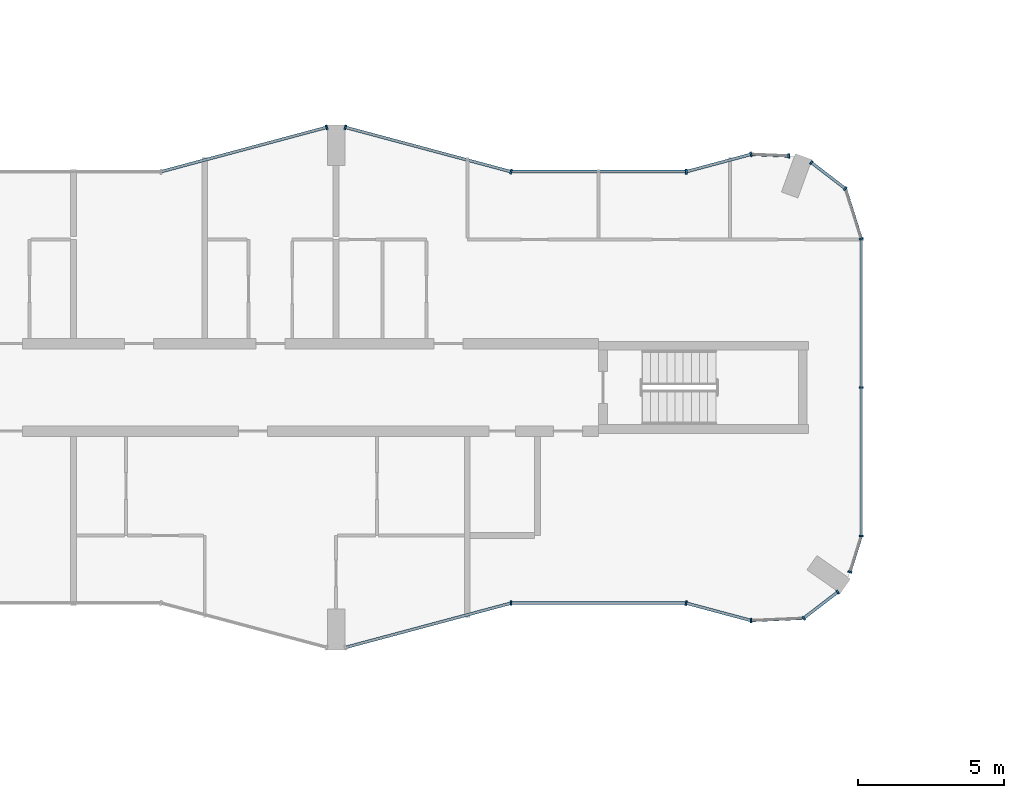
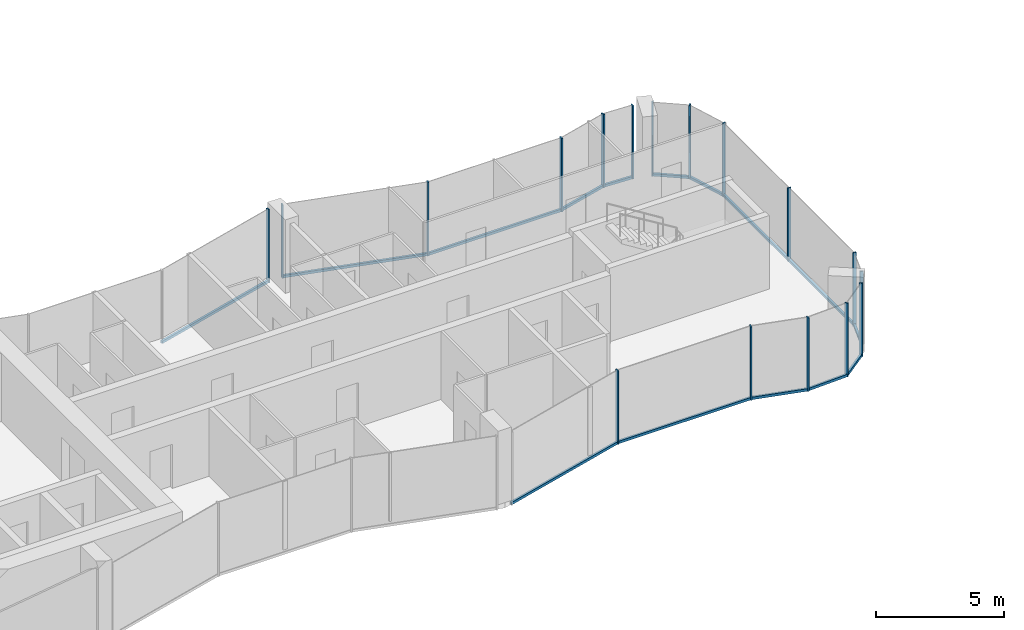
# One storey, part 5 of 24: 31 members, 14 elements without a shape of their own.
"""IFC4 building model written with IfcOpenShell, lengths in metres."""

import ifcopenshell
import ifcopenshell.guid

model = None  # the IFC model being written
_history = None  # IfcOwnerHistory: only IFC2X3 demands one
_inside = {}  # id of a spatial element -> (the spatial element, [elements in it])
_under = {}  # id of a project, library or spatial element -> (it, [spatial elements below it])
_declared = {}  # id of a project -> (the project, [libraries it declares])
_typed = {}  # id of a type object -> (the type object, [elements of that type])
_made_of = {}  # id of a material, layer set ... -> (it, [elements and type objects made of it])


def new_model(schema):
    """Start an empty IFC model of exactly this schema.

    Asked for "IFC4X3", IfcOpenShell would pick the latest addendum, in which some entities
    have other attributes; the version numbers below select the first issue.
    IFC2X3 requires an IfcOwnerHistory on every rooted entity: one is made here for all.
    """
    global model, _history
    if schema == "IFC4X3":
        model = ifcopenshell.file(schema_version=(4, 3, 0, 0))
    else:
        model = ifcopenshell.file(schema=schema)
    _inside.clear()
    _under.clear()
    _declared.clear()
    _typed.clear()
    _made_of.clear()
    _history = None
    if model.schema == "IFC2X3":
        org = make("IfcOrganization", Name="unknown")
        user = make(
            "IfcPersonAndOrganization",
            ThePerson=make("IfcPerson", FamilyName="unknown"),
            TheOrganization=org,
        )
        app = make(
            "IfcApplication",
            ApplicationDeveloper=org,
            Version="unknown",
            ApplicationFullName="unknown",
            ApplicationIdentifier="unknown",
        )
        _history = make(
            "IfcOwnerHistory",
            OwningUser=user,
            OwningApplication=app,
            ChangeAction="ADDED",
            CreationDate=0,
        )
    return model


def make(cls, **values):
    """One entity of the class cls with the attributes given. An attribute that is None is left unset."""
    return model.create_entity(
        cls, **{name: value for name, value in values.items() if value is not None}
    )


def rooted(cls, **values):
    """An entity with a GlobalId (a new one), such as an element, a storey or a relation."""
    return make(cls, GlobalId=ifcopenshell.guid.new(), OwnerHistory=_history, **values)


def si_unit(unit_type, name, prefix=None):
    """IfcSIUnit, for example si_unit("LENGTHUNIT", "METRE", prefix="MILLI")."""
    return make("IfcSIUnit", UnitType=unit_type, Prefix=prefix, Name=name)


def assignment(units):
    """IfcUnitAssignment: the units of a project."""
    return None if units is None else make("IfcUnitAssignment", Units=units)


def point(xyz):
    """IfcCartesianPoint."""
    return None if xyz is None else make("IfcCartesianPoint", Coordinates=xyz)


def direction(xyz):
    """IfcDirection."""
    return None if xyz is None else make("IfcDirection", DirectionRatios=xyz)


def frame(location, z_axis=None, x_axis=None):
    """IfcAxis2Placement3D, a coordinate frame: its origin and axes. An axis left out is left unset."""
    return make(
        "IfcAxis2Placement3D",
        Location=point(location),
        Axis=direction(z_axis),
        RefDirection=direction(x_axis),
    )


def frame_2d(location, x_axis=None):
    """IfcAxis2Placement2D, a coordinate frame in the plane: its origin and x axis."""
    return make(
        "IfcAxis2Placement2D", Location=point(location), RefDirection=direction(x_axis)
    )


def origin():
    """The frame at (0, 0, 0) with its axes left unset."""
    return frame((0.0, 0.0, 0.0))


def origin_2d():
    """The frame at (0, 0) in the plane with its x axis left unset."""
    return frame_2d((0.0, 0.0))


def place(relative_to, where):
    """IfcLocalPlacement: puts the frame where relative to a parent placement (None: the world)."""
    return make(
        "IfcLocalPlacement", PlacementRelTo=relative_to, RelativePlacement=where
    )


def context(
    kind, dimensions, precision=None, world=None, true_north=None, identifier=None
):
    """IfcGeometricRepresentationContext, for example the 3D "Model" context."""
    return make(
        "IfcGeometricRepresentationContext",
        ContextIdentifier=identifier,
        ContextType=kind,
        CoordinateSpaceDimension=dimensions,
        Precision=precision,
        WorldCoordinateSystem=world,
        TrueNorth=true_north,
    )


def subcontext(parent, identifier, kind, view, scale=None):
    """IfcGeometricRepresentationSubContext, for example "Body" below "Model"."""
    return make(
        "IfcGeometricRepresentationSubContext",
        ContextIdentifier=identifier,
        ContextType=kind,
        ParentContext=parent,
        TargetScale=scale,
        TargetView=view,
    )


def project(units=None, contexts=None):
    """IfcProject with its units and contexts."""
    return rooted(
        "IfcProject",
        Name="project",
        RepresentationContexts=contexts,
        UnitsInContext=assignment(units),
    )


def spatial(cls, under=None, at=None, **own):
    """A site, building, storey or space (cls), placed at a placement, below another one or the project."""
    s = rooted(cls, ObjectPlacement=at, **own)
    if under is not None:
        _under.setdefault(under.id(), (under, []))[1].append(s)
    return s


def profile(cls, at=None, kind="AREA", **sizes):
    """A parametric profile (cls). Its sizes go by their IFC names, for example OverallWidth=200.0."""
    return make(cls, ProfileType=kind, Position=at, **sizes)


def rectangle(**sizes):
    """IfcRectangleProfileDef."""
    return profile("IfcRectangleProfileDef", **sizes)


def extrude(swept, where, along, depth):
    """IfcExtrudedAreaSolid: the profile swept, set in the frame where, extruded along a direction by depth."""
    return make(
        "IfcExtrudedAreaSolid",
        SweptArea=swept,
        Position=where,
        ExtrudedDirection=direction(along),
        Depth=depth,
    )


def shape(context_of_items, identifier, shape_type, items):
    """IfcShapeRepresentation: the items that make up one representation, for example the "Body"."""
    return make(
        "IfcShapeRepresentation",
        ContextOfItems=context_of_items,
        RepresentationIdentifier=identifier,
        RepresentationType=shape_type,
        Items=items,
    )


def material(Name=None, Category=None):
    """IfcMaterial."""
    return make("IfcMaterial", Name=Name, Category=Category)


def layer(
    of_material, thickness, ventilated=None, Name=None, Category=None, Priority=None
):
    """IfcMaterialLayer: one layer of a wall or slab, of a material (None: an air gap)."""
    return make(
        "IfcMaterialLayer",
        Material=of_material,
        LayerThickness=thickness,
        IsVentilated=ventilated,
        Name=Name,
        Category=Category,
        Priority=Priority,
    )


def layer_set(layers, Name=None):
    """IfcMaterialLayerSet."""
    return make("IfcMaterialLayerSet", MaterialLayers=layers, LayerSetName=Name)


def material_profile(
    of_material, cross_section, Name=None, Category=None, Priority=None
):
    """IfcMaterialProfile: a cross section and its material."""
    return make(
        "IfcMaterialProfile",
        Name=Name,
        Material=of_material,
        Profile=cross_section,
        Priority=Priority,
        Category=Category,
    )


def profile_set(profiles, Name=None, composite=None):
    """IfcMaterialProfileSet."""
    return make(
        "IfcMaterialProfileSet",
        Name=Name,
        MaterialProfiles=profiles,
        CompositeProfile=composite,
    )


def made_of(thing, what):
    """Note that an element or type object is made of a material, layer set ...; save() writes the relation."""
    if what is not None:
        _made_of.setdefault(what.id(), (what, []))[1].append(thing)
    return thing


def type_object(cls, material=None, **own):
    """A type object (cls), such as IfcWallType, which elements share."""
    return made_of(rooted(cls, **own), material)


def element(
    cls,
    number,
    at=None,
    inside=None,
    cuts=None,
    type_object=None,
    material=None,
    context=None,
    identifier="Body",
    shape_type=None,
    held_by="IfcProductDefinitionShape",
    body=None,
    shapes=None,
    **own,
):
    """One element of the class cls, such as IfcWall. Its Tag is "e" and its number.

    at: its placement. inside: the storey or other place that contains it. cuts: it is an
    opening in that element (IfcRelVoidsElement). A single representation is given by context,
    identifier, shape_type and body (its items); several are given by shapes. held_by: the class
    of the entity that holds the representations. save() writes the other relations.
    """
    e = rooted(cls, Tag="e%d" % number, ObjectPlacement=at, **own)
    if body is not None:
        shapes = [shape(context, identifier, shape_type, body)]
    if shapes is not None:
        e.Representation = make(held_by, Representations=shapes)
    if inside is not None:
        _inside.setdefault(inside.id(), (inside, []))[1].append(e)
    if cuts is not None:
        rooted(
            "IfcRelVoidsElement", RelatingBuildingElement=cuts, RelatedOpeningElement=e
        )
    if type_object is not None:
        _typed.setdefault(type_object.id(), (type_object, []))[1].append(e)
    return made_of(e, material)


def aggregate(whole, parts):
    """IfcRelAggregates: a whole, such as a stair, and the parts it consists of."""
    return rooted("IfcRelAggregates", RelatingObject=whole, RelatedObjects=parts)


def save(model, path):
    """Write the relations noted so far, then the file.

    IfcRelAggregates (storeys below a building ...), IfcRelContainedInSpatialStructure (elements
    in a storey), IfcRelDefinesByType, IfcRelAssociatesMaterial and IfcRelDeclares: one each for
    every whole, place, type object, material and project.
    """
    for whole, parts in _under.values():
        aggregate(whole, parts)
    for where, things in _inside.values():
        rooted(
            "IfcRelContainedInSpatialStructure",
            RelatedElements=things,
            RelatingStructure=where,
        )
    for kind, things in _typed.values():
        rooted("IfcRelDefinesByType", RelatedObjects=things, RelatingType=kind)
    for what, things in _made_of.values():
        rooted("IfcRelAssociatesMaterial", RelatedObjects=things, RelatingMaterial=what)
    for by, libraries in _declared.values():
        rooted("IfcRelDeclares", RelatingContext=by, RelatedDefinitions=libraries)
    model.write(path)


model = new_model("IFC4")

# Units and contexts
model_context = context("Model", 3, precision=1e-05, world=origin(), true_north=direction((0.0, 1.0)))
body_context = subcontext(model_context, "Body", "Model", "MODEL_VIEW")
ifc_project = project(units=[si_unit("LENGTHUNIT", "METRE"), si_unit("AREAUNIT", "SQUARE_METRE"), si_unit("VOLUMEUNIT", "CUBIC_METRE"), si_unit("PLANEANGLEUNIT", "RADIAN"), si_unit("MASSUNIT", "GRAM", prefix="KILO")], contexts=[model_context])

# Site, building, storey
site_placement = place(None, origin())
site = spatial("IfcSite", under=ifc_project, at=site_placement, CompositionType="ELEMENT")
building_placement = place(site_placement, origin())
building = spatial("IfcBuilding", under=site, at=building_placement, Name="Plateau Cross Towers", CompositionType="ELEMENT")
storey_placement = place(building_placement, frame((0.0, 0.0, 47.800048828125)))
storey = spatial("IfcBuildingStorey", under=building, at=storey_placement, Name="L11", CompositionType="ELEMENT", Elevation=47.800048828125)

# Curtain wall, member
ifc_material_1 = material(Name="Dark low-iron glass", Category="glass")
ifc_layer_1 = layer(ifc_material_1, 0.239990234375)
ifc_layer_set_1 = layer_set([ifc_layer_1], Name="Dark low-iron glass")
curtain_wall_type_1 = type_object("IfcCurtainWallType", Name="Curtain wall flush unitised CW-B", PredefinedType="NOTDEFINED", material=ifc_layer_set_1)
curtain_wall_1_placement = place(storey_placement, origin())
curtain_wall_1 = element("IfcCurtainWall", 1, at=curtain_wall_1_placement, inside=storey, type_object=curtain_wall_type_1, Name="ENV/A/L11/A502_10", PredefinedType="NOTDEFINED")
ifc_material_2 = material(Name="Black anodised aluminium", Category="aluminium")
ifc_material_profile_1 = material_profile(ifc_material_2, rectangle(XDim=0.06005859375, YDim=0.139892578125, at=origin_2d()), Name="MULLION 60x140")
ifc_profile_set_1 = profile_set([ifc_material_profile_1], Name="Black anodised aluminium")
member_type_1 = type_object("IfcMemberType", Name="Mullion 60x140 flush unitised", PredefinedType="MULLION", material=ifc_profile_set_1)
member_1_placement = place(storey_placement, frame((50.223876953125, 1.01123046875, -0.25), z_axis=(0.0, 0.0, 1.0), x_axis=(0.999043701491, 0.043722791671, 0.0)))
member_1 = element("IfcMember", 2, at=member_1_placement, type_object=member_type_1, Name="CW-B mullion 1", PredefinedType="MULLION", context=body_context, shape_type="SweptSolid", body=[
    extrude(rectangle(XDim=0.06005859375, YDim=0.139892578125, at=origin_2d()), origin(), (0.0, 0.0, 1.0), 3.5),
])

# Curtain wall, members
curtain_wall_2_placement = place(storey_placement, origin())
curtain_wall_2 = element("IfcCurtainWall", 3, at=curtain_wall_2_placement, inside=storey, type_object=curtain_wall_type_1, Name="ENV/A/L11/A520_11", PredefinedType="NOTDEFINED")
member_2_placement = place(storey_placement, frame((52.0263671875, 1.090087890625, -0.25), z_axis=(0.0, 0.0, 1.0), x_axis=(0.793315514529, 0.608810721331, 0.0)))
member_2 = element("IfcMember", 4, at=member_2_placement, type_object=member_type_1, Name="CW-B mullion 1", PredefinedType="MULLION", context=body_context, shape_type="SweptSolid", body=[
    extrude(rectangle(XDim=0.06005859375, YDim=0.139892578125, at=origin_2d()), origin(), (0.0, 0.0, 1.0), 3.5),
])
member_3_placement = place(storey_placement, frame((53.193603515625, 1.986083984375, -0.25), z_axis=(0.0, 0.0, 1.0), x_axis=(0.793315514529, 0.608810721331, 0.0)))
member_3 = element("IfcMember", 5, at=member_3_placement, type_object=member_type_1, Name="CW-B mullion 2", PredefinedType="MULLION", context=body_context, shape_type="SweptSolid", body=[
    extrude(rectangle(XDim=0.06005859375, YDim=0.139892578125, at=origin_2d()), origin(), (0.0, 0.0, 1.0), 3.5),
])

# Curtain wall, member
curtain_wall_3_placement = place(storey_placement, origin())
curtain_wall_3 = element("IfcCurtainWall", 6, at=curtain_wall_3_placement, inside=storey, type_object=curtain_wall_type_1, Name="ENV/A/L11/A536_27", PredefinedType="NOTDEFINED")
member_4_placement = place(storey_placement, frame((53.611083984375, 2.67529296875, -0.25), z_axis=(0.0, 0.0, 1.0), x_axis=(0.300686174994, 0.95372313811, 0.0)))
member_4 = element("IfcMember", 7, at=member_4_placement, type_object=member_type_1, Name="CW-B mullion 1", PredefinedType="MULLION", context=body_context, shape_type="SweptSolid", body=[
    extrude(rectangle(XDim=0.06005859375, YDim=0.139892578125, at=origin_2d()), origin(), (0.0, 0.0, 1.0), 3.5),
])

# Curtain wall, members
curtain_wall_4_placement = place(storey_placement, origin())
curtain_wall_4 = element("IfcCurtainWall", 8, at=curtain_wall_4_placement, inside=storey, type_object=curtain_wall_type_1, Name="ENV/A/L11/A540_39", PredefinedType="NOTDEFINED")
member_5_placement = place(storey_placement, frame((54.0, 3.9091796875, -0.25), z_axis=(0.0, 0.0, 1.0), x_axis=(0.0, 1.0, 0.0)))
member_5 = element("IfcMember", 9, at=member_5_placement, type_object=member_type_1, Name="CW-B mullion 1", PredefinedType="MULLION", context=body_context, shape_type="SweptSolid", body=[
    extrude(rectangle(XDim=0.06005859375, YDim=0.139892578125, at=origin_2d()), origin(), (0.0, 0.0, 1.0), 3.5),
])
member_6_placement = place(storey_placement, frame((54.0, 9.0, -0.25), z_axis=(0.0, 0.0, 1.0), x_axis=(0.0, 1.0, 0.0)))
member_6 = element("IfcMember", 10, at=member_6_placement, type_object=member_type_1, Name="CW-B mullion 2", PredefinedType="MULLION", context=body_context, shape_type="SweptSolid", body=[
    extrude(rectangle(XDim=0.06005859375, YDim=0.139892578125, at=origin_2d()), origin(), (0.0, 0.0, 1.0), 3.5),
])

# Curtain wall, member
curtain_wall_5_placement = place(storey_placement, origin())
curtain_wall_5 = element("IfcCurtainWall", 11, at=curtain_wall_5_placement, inside=storey, type_object=curtain_wall_type_1, Name="ENV/A/L11/A540_141", PredefinedType="NOTDEFINED")
member_7_placement = place(storey_placement, frame((54.0, 14.0908203125, -0.25), z_axis=(0.0, 0.0, 1.0), x_axis=(-0.300686174994, 0.95372313811, 0.0)))
member_7 = element("IfcMember", 12, at=member_7_placement, type_object=member_type_1, Name="CW-B mullion 1", PredefinedType="MULLION", context=body_context, shape_type="SweptSolid", body=[
    extrude(rectangle(XDim=0.06005859375, YDim=0.139892578125, at=origin_2d()), origin(), (0.0, 0.0, 1.0), 3.5),
])

# Curtain wall, members
curtain_wall_6_placement = place(storey_placement, origin())
curtain_wall_6 = element("IfcCurtainWall", 13, at=curtain_wall_6_placement, inside=storey, type_object=curtain_wall_type_1, Name="ENV/A/L11/A535_158", PredefinedType="NOTDEFINED")
member_8_placement = place(storey_placement, frame((53.45751953125, 15.8115234375, -0.25), z_axis=(0.0, 0.0, 1.0), x_axis=(-0.793315514529, 0.608810721331, 0.0)))
member_8 = element("IfcMember", 14, at=member_8_placement, type_object=member_type_1, Name="CW-B mullion 1", PredefinedType="MULLION", context=body_context, shape_type="SweptSolid", body=[
    extrude(rectangle(XDim=0.06005859375, YDim=0.139892578125, at=origin_2d()), origin(), (0.0, 0.0, 1.0), 3.5),
])
member_9_placement = place(storey_placement, frame((52.290283203125, 16.707275390625, -0.25), z_axis=(0.0, 0.0, 1.0), x_axis=(-0.793315514529, 0.608810721331, 0.0)))
member_9 = element("IfcMember", 15, at=member_9_placement, type_object=member_type_1, Name="CW-B mullion 2", PredefinedType="MULLION", context=body_context, shape_type="SweptSolid", body=[
    extrude(rectangle(XDim=0.06005859375, YDim=0.139892578125, at=origin_2d()), origin(), (0.0, 0.0, 1.0), 3.5),
])

# Curtain wall, member
curtain_wall_7_placement = place(storey_placement, origin())
curtain_wall_7 = element("IfcCurtainWall", 16, at=curtain_wall_7_placement, inside=storey, type_object=curtain_wall_type_1, Name="ENV/A/L11/A515_169", PredefinedType="NOTDEFINED")
member_10_placement = place(storey_placement, frame((51.516357421875, 16.93212890625, -0.25), z_axis=(0.0, 0.0, 1.0), x_axis=(-0.999043701491, 0.043722791671, 0.0)))
member_10 = element("IfcMember", 17, at=member_10_placement, type_object=member_type_1, Name="CW-B mullion 1", PredefinedType="MULLION", context=body_context, shape_type="SweptSolid", body=[
    extrude(rectangle(XDim=0.06005859375, YDim=0.139892578125, at=origin_2d()), origin(), (0.0, 0.0, 1.0), 3.5),
])

ifc_layer_2 = layer(ifc_material_1, 0.260009765625)
ifc_layer_set_2 = layer_set([ifc_layer_2], Name="Dark low-iron glass")
curtain_wall_type_2 = type_object("IfcCurtainWallType", Name="Curtain wall fluted unitised CW-A", PredefinedType="NOTDEFINED", material=ifc_layer_set_2)
curtain_wall_8_placement = place(storey_placement, origin())
curtain_wall_8 = element("IfcCurtainWall", 18, at=curtain_wall_8_placement, inside=storey, type_object=curtain_wall_type_2, Name="ENV/A/L11/A420_16", PredefinedType="NOTDEFINED")
ifc_material_profile_2 = material_profile(ifc_material_2, rectangle(XDim=0.06005859375, YDim=0.159912109375, at=origin_2d()), Name="MULLION 60x160")
ifc_profile_set_2 = profile_set([ifc_material_profile_2], Name="Black anodised aluminium")
member_type_2 = type_object("IfcMemberType", Name="Mullion 60x160 fluted unitised", PredefinedType="MULLION", material=ifc_profile_set_2)
member_11_placement = place(storey_placement, frame((42.0, 1.60693359375, -0.25), z_axis=(0.0, 0.0, 1.0), x_axis=(1.0, 0.0, 0.0)))
member_11 = element("IfcMember", 19, at=member_11_placement, type_object=member_type_2, Name="CW-A mullion 1", PredefinedType="MULLION", context=body_context, shape_type="SweptSolid", body=[
    extrude(rectangle(XDim=0.06005859375, YDim=0.159912109375, at=origin_2d()), origin(), (0.0, 0.0, 1.0), 3.5),
])

curtain_wall_9_placement = place(storey_placement, origin())
curtain_wall_9 = element("IfcCurtainWall", 20, at=curtain_wall_9_placement, inside=storey, type_object=curtain_wall_type_2, Name="ENV/A/L11/A480_16", PredefinedType="NOTDEFINED")
member_12_placement = place(storey_placement, frame((48.0, 1.60693359375, -0.25), z_axis=(0.0, 0.0, 1.0), x_axis=(0.965957962328, -0.258699081978, 0.0)))
member_12 = element("IfcMember", 21, at=member_12_placement, type_object=member_type_2, Name="CW-A mullion 1", PredefinedType="MULLION", context=body_context, shape_type="SweptSolid", body=[
    extrude(rectangle(XDim=0.06005859375, YDim=0.159912109375, at=origin_2d()), origin(), (0.0, 0.0, 1.0), 3.5),
])

curtain_wall_10_placement = place(storey_placement, origin())
curtain_wall_10 = element("IfcCurtainWall", 22, at=curtain_wall_10_placement, inside=storey, type_object=curtain_wall_type_2, Name="ENV/A/L11/A502_170", PredefinedType="NOTDEFINED")
member_13_placement = place(storey_placement, frame((50.223876953125, 16.98876953125, -0.25), z_axis=(0.0, 0.0, 1.0), x_axis=(-0.965957962328, -0.258699081978, 0.0)))
member_13 = element("IfcMember", 23, at=member_13_placement, type_object=member_type_2, Name="CW-A mullion 1", PredefinedType="MULLION", context=body_context, shape_type="SweptSolid", body=[
    extrude(rectangle(XDim=0.06005859375, YDim=0.159912109375, at=origin_2d()), origin(), (0.0, 0.0, 1.0), 3.5),
])

curtain_wall_11_placement = place(storey_placement, origin())
curtain_wall_11 = element("IfcCurtainWall", 24, at=curtain_wall_11_placement, inside=storey, type_object=curtain_wall_type_2, Name="ENV/A/L11/A480_164", PredefinedType="NOTDEFINED")
member_14_placement = place(storey_placement, frame((48.0, 16.39306640625, -0.25), z_axis=(0.0, 0.0, 1.0), x_axis=(-1.0, 0.0, 0.0)))
member_14 = element("IfcMember", 25, at=member_14_placement, type_object=member_type_2, Name="CW-A mullion 1", PredefinedType="MULLION", context=body_context, shape_type="SweptSolid", body=[
    extrude(rectangle(XDim=0.06005859375, YDim=0.159912109375, at=origin_2d()), origin(), (0.0, 0.0, 1.0), 3.5),
])

# Curtain wall, members
curtain_wall_12_placement = place(storey_placement, origin())
curtain_wall_12 = element("IfcCurtainWall", 26, at=curtain_wall_12_placement, inside=storey, type_object=curtain_wall_type_2, Name="ENV/A/L11/A420_164", PredefinedType="NOTDEFINED")
member_15_placement = place(storey_placement, frame((42.0, 16.39306640625, -0.25), z_axis=(0.0, 0.0, 1.0), x_axis=(-0.965957983404, 0.258699003279, 0.0)))
member_15 = element("IfcMember", 27, at=member_15_placement, type_object=member_type_2, Name="CW-A mullion 1", PredefinedType="MULLION", context=body_context, shape_type="SweptSolid", body=[
    extrude(rectangle(XDim=0.06005859375, YDim=0.159912109375, at=origin_2d()), origin(), (0.0, 0.0, 1.0), 3.5),
])
member_16_placement = place(storey_placement, frame((36.31787109375, 17.914794921875, -0.25), z_axis=(0.0, 0.0, 1.0), x_axis=(-0.965957983404, 0.258699003279, 0.0)))
member_16 = element("IfcMember", 28, at=member_16_placement, type_object=member_type_2, Name="CW-A mullion 2", PredefinedType="MULLION", context=body_context, shape_type="SweptSolid", body=[
    extrude(rectangle(XDim=0.06005859375, YDim=0.159912109375, at=origin_2d()), origin(), (0.0, 0.0, 1.0), 3.5),
])

# Curtain wall, member
curtain_wall_13_placement = place(storey_placement, origin())
curtain_wall_13 = element("IfcCurtainWall", 29, at=curtain_wall_13_placement, inside=storey, type_object=curtain_wall_type_2, Name="ENV/A/L11/A357_179", PredefinedType="NOTDEFINED")
member_17_placement = place(storey_placement, frame((35.68212890625, 17.914794921875, -0.25), z_axis=(0.0, 0.0, 1.0), x_axis=(-0.965957983404, -0.258699003279, 0.0)))
member_17 = element("IfcMember", 30, at=member_17_placement, type_object=member_type_2, Name="CW-A mullion 1", PredefinedType="MULLION", context=body_context, shape_type="SweptSolid", body=[
    extrude(rectangle(XDim=0.06005859375, YDim=0.159912109375, at=origin_2d()), origin(), (0.0, 0.0, 1.0), 3.5),
])

# Member
ifc_material_profile_3 = material_profile(ifc_material_2, rectangle(XDim=0.10009765625, YDim=0.1201171875, at=origin_2d()), Name="TRANSOM 100x120")
ifc_profile_set_3 = profile_set([ifc_material_profile_3], Name="Black anodised aluminium")
member_type_3 = type_object("IfcMemberType", Name="Transom 100x120 flush unitised", PredefinedType="USERDEFINED", material=ifc_profile_set_3)
member_18_placement = place(storey_placement, frame((50.223876953125, 1.01123046875, -0.18994140625), z_axis=(0.999044377355, 0.043707345779, 0.0), x_axis=(-0.043707345779, 0.999044377355, 0.0)))
member_18 = element("IfcMember", 31, at=member_18_placement, type_object=member_type_3, Name="CW-B transom", ObjectType="TRANSOM", PredefinedType="USERDEFINED", context=body_context, shape_type="SweptSolid", body=[
    extrude(rectangle(XDim=0.10009765625, YDim=0.1201171875, at=origin_2d()), origin(), (0.0, 0.0, 1.0), 1.80419921875),
])

aggregate(curtain_wall_1, [member_1, member_18])

member_19_placement = place(storey_placement, frame((52.0263671875, 1.090087890625, -0.18994140625), z_axis=(0.793240368515, 0.608908628415, 0.0), x_axis=(-0.608908628415, 0.793240368515, 0.0)))
member_19 = element("IfcMember", 32, at=member_19_placement, type_object=member_type_3, Name="CW-B transom", ObjectType="TRANSOM", PredefinedType="USERDEFINED", context=body_context, shape_type="SweptSolid", body=[
    extrude(rectangle(XDim=0.10009765625, YDim=0.1201171875, at=origin_2d()), origin(), (0.0, 0.0, 1.0), 1.471435546875),
])

aggregate(curtain_wall_2, [member_2, member_3, member_19])

member_20_placement = place(storey_placement, frame((53.611083984375, 2.67529296875, -0.18994140625), z_axis=(0.300616528216, 0.953745093284, 0.0), x_axis=(-0.953745093284, 0.300616528216, 0.0)))
member_20 = element("IfcMember", 33, at=member_20_placement, type_object=member_type_3, Name="CW-B transom", ObjectType="TRANSOM", PredefinedType="USERDEFINED", context=body_context, shape_type="SweptSolid", body=[
    extrude(rectangle(XDim=0.10009765625, YDim=0.1201171875, at=origin_2d()), origin(), (0.0, 0.0, 1.0), 1.293701171875),
])

aggregate(curtain_wall_3, [member_4, member_20])

member_21_placement = place(storey_placement, frame((54.0, 3.9091796875, -0.18994140625), z_axis=(0.0, 1.0, 0.0), x_axis=(-1.0, 0.0, 0.0)))
member_21 = element("IfcMember", 34, at=member_21_placement, type_object=member_type_3, Name="CW-B transom", ObjectType="TRANSOM", PredefinedType="USERDEFINED", context=body_context, shape_type="SweptSolid", body=[
    extrude(rectangle(XDim=0.10009765625, YDim=0.1201171875, at=origin_2d()), origin(), (0.0, 0.0, 1.0), 10.181640625),
])

aggregate(curtain_wall_4, [member_5, member_6, member_21])

member_22_placement = place(storey_placement, frame((54.0, 14.0908203125, -0.18994140625), z_axis=(-0.30067799945, 0.953725715626, 0.0), x_axis=(-0.953725715626, -0.30067799945, 0.0)))
member_22 = element("IfcMember", 35, at=member_22_placement, type_object=member_type_3, Name="CW-B transom", ObjectType="TRANSOM", PredefinedType="USERDEFINED", context=body_context, shape_type="SweptSolid", body=[
    extrude(rectangle(XDim=0.10009765625, YDim=0.1201171875, at=origin_2d()), origin(), (0.0, 0.0, 1.0), 1.80419921875),
])

aggregate(curtain_wall_5, [member_7, member_22])

member_23_placement = place(storey_placement, frame((53.45751953125, 15.8115234375, -0.18994140625), z_axis=(-0.793320508571, 0.608804213751, 0.0), x_axis=(-0.608804213751, -0.793320508571, 0.0)))
member_23 = element("IfcMember", 36, at=member_23_placement, type_object=member_type_3, Name="CW-B transom", ObjectType="TRANSOM", PredefinedType="USERDEFINED", context=body_context, shape_type="SweptSolid", body=[
    extrude(rectangle(XDim=0.10009765625, YDim=0.1201171875, at=origin_2d()), origin(), (0.0, 0.0, 1.0), 1.471435546875),
])

aggregate(curtain_wall_6, [member_8, member_9, member_23])

member_24_placement = place(storey_placement, frame((51.516357421875, 16.93212890625, -0.18994140625), z_axis=(-0.999041144614, 0.043781175963, 0.0), x_axis=(-0.043781175963, -0.999041144614, 0.0)))
member_24 = element("IfcMember", 37, at=member_24_placement, type_object=member_type_3, Name="CW-B transom", ObjectType="TRANSOM", PredefinedType="USERDEFINED", context=body_context, shape_type="SweptSolid", body=[
    extrude(rectangle(XDim=0.10009765625, YDim=0.1201171875, at=origin_2d()), origin(), (0.0, 0.0, 1.0), 1.293701171875),
])

aggregate(curtain_wall_7, [member_10, member_24])

# Curtain wall, member
curtain_wall_14_placement = place(storey_placement, origin())
curtain_wall_14 = element("IfcCurtainWall", 38, at=curtain_wall_14_placement, inside=storey, type_object=curtain_wall_type_2, Name="ENV/A/L11/A363_1", PredefinedType="NOTDEFINED")
ifc_material_profile_4 = material_profile(ifc_material_2, rectangle(XDim=0.10009765625, YDim=0.1201171875, at=origin_2d()), Name="TRANSOM 100x120")
ifc_profile_set_4 = profile_set([ifc_material_profile_4], Name="Black anodised aluminium")
member_type_4 = type_object("IfcMemberType", Name="Transom 100x120 fluted unitised", PredefinedType="USERDEFINED", material=ifc_profile_set_4)
member_25_placement = place(storey_placement, frame((36.31787109375, 0.085205078125, -0.18994140625), z_axis=(0.965959534794, 0.258693210465, 0.0), x_axis=(-0.258693210465, 0.965959534794, 0.0)))
member_25 = element("IfcMember", 39, at=member_25_placement, type_object=member_type_4, Name="CW-A transom", ObjectType="TRANSOM", PredefinedType="USERDEFINED", context=body_context, shape_type="SweptSolid", body=[
    extrude(rectangle(XDim=0.10009765625, YDim=0.1201171875, at=origin_2d()), origin(), (0.0, 0.0, 1.0), 5.88232421875),
])
aggregate(curtain_wall_14, [member_25])

# Member
member_26_placement = place(storey_placement, frame((42.0, 1.60693359375, -0.18994140625), z_axis=(1.0, 0.0, 0.0), x_axis=(0.0, 1.0, 0.0)))
member_26 = element("IfcMember", 40, at=member_26_placement, type_object=member_type_4, Name="CW-A transom", ObjectType="TRANSOM", PredefinedType="USERDEFINED", context=body_context, shape_type="SweptSolid", body=[
    extrude(rectangle(XDim=0.10009765625, YDim=0.1201171875, at=origin_2d()), origin(), (0.0, 0.0, 1.0), 6.0),
])

aggregate(curtain_wall_8, [member_11, member_26])

member_27_placement = place(storey_placement, frame((48.0, 1.60693359375, -0.18994140625), z_axis=(0.965945685136, -0.258744919501, 0.0), x_axis=(0.258744919501, 0.965945685136, 0.0)))
member_27 = element("IfcMember", 41, at=member_27_placement, type_object=member_type_4, Name="CW-A transom", ObjectType="TRANSOM", PredefinedType="USERDEFINED", context=body_context, shape_type="SweptSolid", body=[
    extrude(rectangle(XDim=0.10009765625, YDim=0.1201171875, at=origin_2d()), origin(), (0.0, 0.0, 1.0), 2.30224609375),
])

aggregate(curtain_wall_9, [member_12, member_27])

member_28_placement = place(storey_placement, frame((50.223876953125, 16.98876953125, -0.18994140625), z_axis=(-0.965945685136, -0.258744919501, 0.0), x_axis=(0.258744919501, -0.965945685136, 0.0)))
member_28 = element("IfcMember", 42, at=member_28_placement, type_object=member_type_4, Name="CW-A transom", ObjectType="TRANSOM", PredefinedType="USERDEFINED", context=body_context, shape_type="SweptSolid", body=[
    extrude(rectangle(XDim=0.10009765625, YDim=0.1201171875, at=origin_2d()), origin(), (0.0, 0.0, 1.0), 2.30224609375),
])

aggregate(curtain_wall_10, [member_13, member_28])

member_29_placement = place(storey_placement, frame((48.0, 16.39306640625, -0.18994140625), z_axis=(-1.0, 0.0, 0.0), x_axis=(0.0, -1.0, 0.0)))
member_29 = element("IfcMember", 43, at=member_29_placement, type_object=member_type_4, Name="CW-A transom", ObjectType="TRANSOM", PredefinedType="USERDEFINED", context=body_context, shape_type="SweptSolid", body=[
    extrude(rectangle(XDim=0.10009765625, YDim=0.1201171875, at=origin_2d()), origin(), (0.0, 0.0, 1.0), 6.0),
])

aggregate(curtain_wall_11, [member_14, member_29])

member_30_placement = place(storey_placement, frame((42.0, 16.39306640625, -0.18994140625), z_axis=(-0.965959534794, 0.258693210465, 0.0), x_axis=(-0.258693210465, -0.965959534794, 0.0)))
member_30 = element("IfcMember", 44, at=member_30_placement, type_object=member_type_4, Name="CW-A transom", ObjectType="TRANSOM", PredefinedType="USERDEFINED", context=body_context, shape_type="SweptSolid", body=[
    extrude(rectangle(XDim=0.10009765625, YDim=0.1201171875, at=origin_2d()), origin(), (0.0, 0.0, 1.0), 5.88232421875),
])

aggregate(curtain_wall_12, [member_15, member_16, member_30])

member_31_placement = place(storey_placement, frame((35.68212890625, 17.914794921875, -0.18994140625), z_axis=(-0.965959534794, -0.258693210465, 0.0), x_axis=(0.258693210465, -0.965959534794, 0.0)))
member_31 = element("IfcMember", 45, at=member_31_placement, type_object=member_type_4, Name="CW-A transom", ObjectType="TRANSOM", PredefinedType="USERDEFINED", context=body_context, shape_type="SweptSolid", body=[
    extrude(rectangle(XDim=0.10009765625, YDim=0.1201171875, at=origin_2d()), origin(), (0.0, 0.0, 1.0), 5.88232421875),
])

aggregate(curtain_wall_13, [member_17, member_31])

save(model, "model.ifc")
